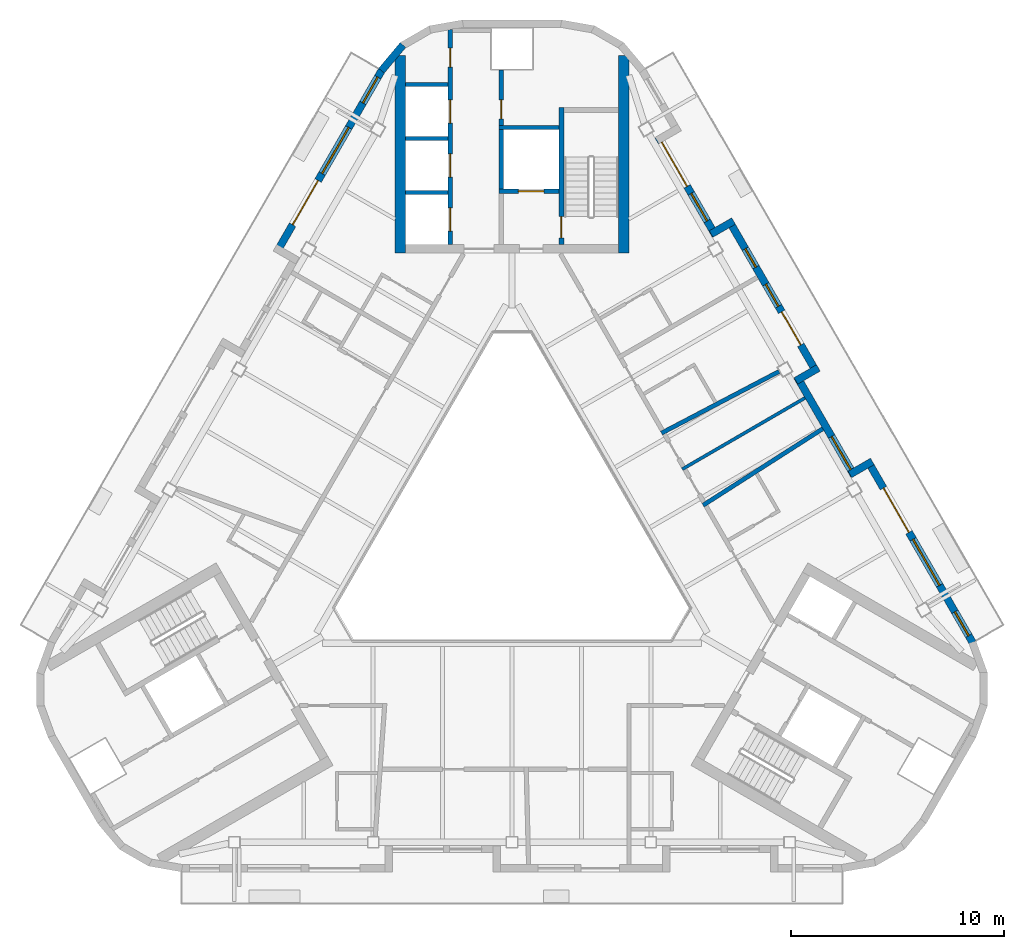
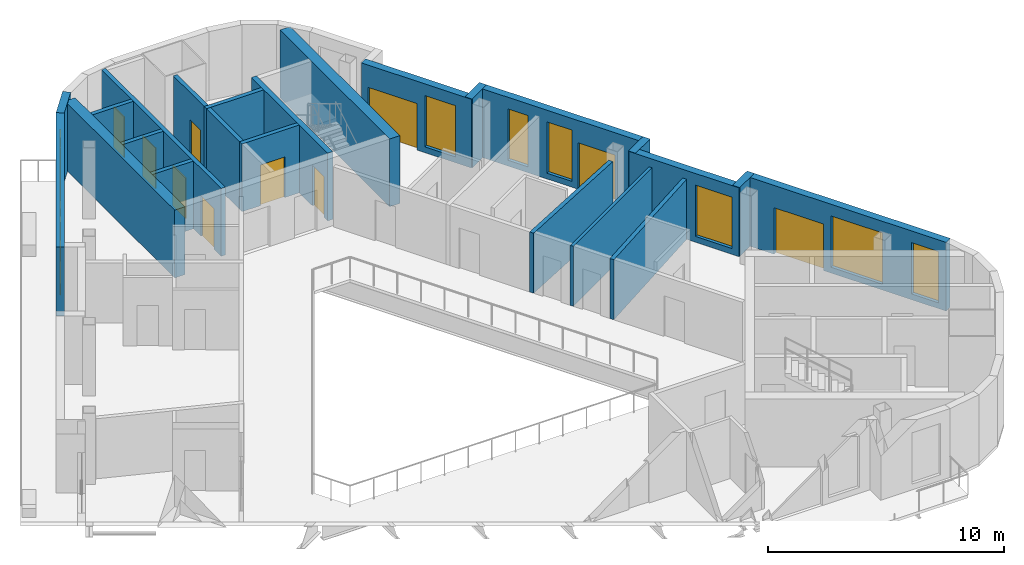
# One storey, part 6 of 11: 23 walls, 11 doors, 8 windows, 19 openings.
"""IFC4 building model written with IfcOpenShell, lengths in metres."""

from ifc_helpers import new_model, si_unit, direction, frame, frame_2d, origin, place, context, subcontext, project, spatial, rectangle, extrude, material, layer, layer_set, type_object, element, fill, save


model = new_model("IFC4")

# Units and contexts
model_context = context("Model", 3, precision=1e-05, world=origin(), true_north=direction((0.0, 1.0)))
body_context = subcontext(model_context, "Body", "Model", "MODEL_VIEW")
ifc_project = project(units=[si_unit("LENGTHUNIT", "METRE"), si_unit("AREAUNIT", "SQUARE_METRE"), si_unit("VOLUMEUNIT", "CUBIC_METRE"), si_unit("PLANEANGLEUNIT", "RADIAN"), si_unit("MASSUNIT", "GRAM", prefix="KILO")], contexts=[model_context])

# Site, building, storey
site_placement = place(None, origin())
site = spatial("IfcSite", under=ifc_project, at=site_placement, CompositionType="ELEMENT")
building_placement = place(site_placement, origin())
building = spatial("IfcBuilding", under=site, at=building_placement, Name="Apuvela Tower Hotel", CompositionType="ELEMENT")
storey_placement = place(building_placement, frame((0.0, 0.0, 317.0)))
storey = spatial("IfcBuildingStorey", under=building, at=storey_placement, Name="L79", CompositionType="ELEMENT", Elevation=317.0)

# Walls
ifc_material_1 = material(Name="Concrete C50/60", Category="concrete")
ifc_layer_1 = layer(ifc_material_1, 0.5)
ifc_layer_set_1 = layer_set([ifc_layer_1], Name="COR-WALL-CORE-500")
wall_type_1 = type_object("IfcWallType", Name="COR-WALL-CORE-500", PredefinedType="SHEAR", material=ifc_layer_set_1)
for number, where, z_axis, x_axis, name in (
    (1, (5.25, 12.89990234375, 0.0), (0.0, 0.0, 1.0), (0.0, 1.0, 0.0), "Core wall N"),
    (2, (-5.25, 12.89990234375, 0.0), (0.0, 0.0, 1.0), (0.0, 1.0, 0.0), "Core wall N"),
):
    element("IfcWall", number, at=place(storey_placement, frame(where, z_axis=z_axis, x_axis=x_axis)), inside=storey, type_object=wall_type_1, Name=name, PredefinedType="SHEAR", context=body_context, shape_type="SweptSolid", body=[
        extrude(rectangle(XDim=9.28271484375, YDim=0.5, at=frame_2d((4.641357421875, 0.0))), origin(), (0.0, 0.0, 1.0), 3.5),
    ])
ifc_layer_2 = layer(ifc_material_1, 0.199951171875)
ifc_layer_set_2 = layer_set([ifc_layer_2], Name="COR-WALL-SHAFT-200")
wall_type_2 = type_object("IfcWallType", Name="COR-WALL-SHAFT-200", PredefinedType="SHEAR", material=ifc_layer_set_2)
wall_1_placement = place(storey_placement, frame((2.199951171875, 18.800048828125, 0.0), z_axis=(0.0, 0.0, 1.0), x_axis=(-1.0, 0.0, 0.0)))
element("IfcWall", 3, at=wall_1_placement, inside=storey, type_object=wall_type_2, Name="Shaft wall N", PredefinedType="SHEAR", context=body_context, shape_type="SweptSolid", body=[
    extrude(rectangle(XDim=2.800048828125, YDim=0.199951171875, at=frame_2d((1.39990234375, 0.0))), origin(), (0.0, 0.0, 1.0), 3.5),
])

# Wall, opening, door
wall_2_placement = place(storey_placement, frame((2.199951171875, 15.800048828125, 0.0), z_axis=(0.0, 0.0, 1.0), x_axis=(-1.0, 0.0, 0.0)))
wall_2 = element("IfcWall", 4, at=wall_2_placement, inside=storey, type_object=wall_type_2, Name="Shaft wall N", PredefinedType="SHEAR", context=body_context, shape_type="SweptSolid", body=[
    extrude(rectangle(XDim=2.800048828125, YDim=0.199951171875, at=frame_2d((1.39990234375, 0.0))), origin(), (0.0, 0.0, 1.0), 3.5),
])
opening_1_placement = place(wall_2_placement, frame((0.699951171875, 0.0, 0.0)))
opening_1 = element("IfcOpeningElement", 5, at=opening_1_placement, cuts=wall_2, Name="Opening N-LD-FS1", PredefinedType="OPENING", context=body_context, shape_type="SweptSolid", body=[
    extrude(rectangle(XDim=1.199951171875, YDim=2.10009765625, at=frame_2d((0.60009765625, 1.050048828125))), frame((0.0, 0.10986328125, 0.0), z_axis=(0.0, -1.0, 0.0), x_axis=(1.0, 0.0, 0.0)), (0.0, 0.0, 1.0), 0.219970703125),
])
ifc_material_2 = material(Name="Stainless steel lift landing door", Category="steel")
door_type_1 = type_object("IfcDoorType", Name="COR-LD-1200", OperationType="DOUBLE_DOOR_SLIDING", PredefinedType="DOOR", material=ifc_material_2)
door_1_placement = place(opening_1_placement, origin())
door_1 = element("IfcDoor", 6, at=door_1_placement, inside=storey, type_object=door_type_1, Name="Lift landing door N-LD-FS1", OperationType="DOUBLE_DOOR_SLIDING", OverallHeight=2.10009765625, OverallWidth=1.199951171875, PredefinedType="DOOR", context=body_context, shape_type="SweptSolid", body=[
    extrude(rectangle(XDim=1.199951171875, YDim=2.10009765625, at=frame_2d((0.60009765625, 1.050048828125))), frame((0.0, 0.02490234375, 0.0), z_axis=(0.0, -1.0, 0.0), x_axis=(1.0, 0.0, 0.0)), (0.0, 0.0, 1.0), 0.050048828125),
])
fill(opening_1, door_1)

# Wall
wall_3_placement = place(storey_placement, frame((-0.5, 15.89990234375, 0.0), z_axis=(0.0, 0.0, 1.0), x_axis=(0.0, 1.0, 0.0)))
element("IfcWall", 7, at=wall_3_placement, inside=storey, type_object=wall_type_2, Name="Shaft wall N", PredefinedType="SHEAR", context=body_context, shape_type="SweptSolid", body=[
    extrude(rectangle(XDim=2.800048828125, YDim=0.199951171875, at=frame_2d((1.39990234375, 0.0))), origin(), (0.0, 0.0, 1.0), 3.5),
])

# Wall, openings, doors
wall_4_placement = place(storey_placement, frame((-2.89990234375, 13.300048828125, 0.0), z_axis=(0.0, 0.0, 1.0), x_axis=(0.0, 1.0, 0.0)))
wall_4 = element("IfcWall", 8, at=wall_4_placement, inside=storey, type_object=wall_type_2, Name="Shaft wall N", PredefinedType="SHEAR", context=body_context, shape_type="SweptSolid", body=[
    extrude(rectangle(XDim=10.120849609375, YDim=0.199951171875, at=frame_2d((5.060546875, 0.0))), origin(), (0.0, 0.0, 1.0), 3.5),
])
opening_2_placement = place(wall_4_placement, frame((0.6201171875, 0.0, 0.0)))
opening_2 = element("IfcOpeningElement", 9, at=opening_2_placement, cuts=wall_4, Name="Opening N-LD-HR1", PredefinedType="OPENING", context=body_context, shape_type="SweptSolid", body=[
    extrude(rectangle(XDim=1.10009765625, YDim=2.10009765625, at=frame_2d((0.550048828125, 1.050048828125))), frame((0.0, 0.10986328125, 0.0), z_axis=(0.0, -1.0, 0.0), x_axis=(1.0, 0.0, 0.0)), (0.0, 0.0, 1.0), 0.219970703125),
])
opening_3_placement = place(wall_4_placement, frame((3.159912109375, 0.0, 0.0)))
opening_3 = element("IfcOpeningElement", 10, at=opening_3_placement, cuts=wall_4, Name="Opening N-LD-HR2", PredefinedType="OPENING", context=body_context, shape_type="SweptSolid", body=[
    extrude(rectangle(XDim=1.10009765625, YDim=2.10009765625, at=frame_2d((0.550048828125, 1.050048828125))), frame((0.0, 0.10986328125, 0.0), z_axis=(0.0, -1.0, 0.0), x_axis=(1.0, 0.0, 0.0)), (0.0, 0.0, 1.0), 0.219970703125),
])
opening_4_placement = place(wall_4_placement, frame((5.699951171875, 0.0, 0.0)))
opening_4 = element("IfcOpeningElement", 11, at=opening_4_placement, cuts=wall_4, Name="Opening N-LD-HR4", PredefinedType="OPENING", context=body_context, shape_type="SweptSolid", body=[
    extrude(rectangle(XDim=1.10009765625, YDim=2.10009765625, at=frame_2d((0.550048828125, 1.050048828125))), frame((0.0, 0.10986328125, 0.0), z_axis=(0.0, -1.0, 0.0), x_axis=(1.0, 0.0, 0.0)), (0.0, 0.0, 1.0), 0.219970703125),
])
opening_5_placement = place(wall_4_placement, frame((8.340087890625, 0.0, 0.0)))
opening_5 = element("IfcOpeningElement", 12, at=opening_5_placement, cuts=wall_4, Name="Opening N-RE4", PredefinedType="OPENING", context=body_context, shape_type="SweptSolid", body=[
    extrude(rectangle(XDim=0.89990234375, YDim=2.10009765625, at=frame_2d((0.449951171875, 1.050048828125))), frame((0.0, 0.10986328125, 0.0), z_axis=(0.0, -1.0, 0.0), x_axis=(1.0, 0.0, 0.0)), (0.0, 0.0, 1.0), 0.219970703125),
])
ifc_material_3 = material(Name="Steel fire door, powder coated", Category="steel")
door_type_2 = type_object("IfcDoorType", Name="COR-DR-900", OperationType="NOTDEFINED", PredefinedType="DOOR", material=ifc_material_3)
door_2_placement = place(opening_5_placement, origin())
door_2 = element("IfcDoor", 13, at=door_2_placement, inside=storey, type_object=door_type_2, Name="Store door N-RE4", OperationType="SINGLE_SWING_LEFT", OverallHeight=2.10009765625, OverallWidth=0.89990234375, PredefinedType="DOOR", context=body_context, shape_type="SweptSolid", body=[
    extrude(rectangle(XDim=0.89990234375, YDim=2.10009765625, at=frame_2d((0.449951171875, 1.050048828125))), frame((0.0, 0.02490234375, 0.0), z_axis=(0.0, -1.0, 0.0), x_axis=(1.0, 0.0, 0.0)), (0.0, 0.0, 1.0), 0.050048828125),
])
fill(opening_5, door_2)
door_type_3 = type_object("IfcDoorType", Name="COR-LD-1100", OperationType="DOUBLE_DOOR_SLIDING", PredefinedType="DOOR", material=ifc_material_2)
door_3_placement = place(opening_2_placement, origin())
door_3 = element("IfcDoor", 14, at=door_3_placement, inside=storey, type_object=door_type_3, Name="Lift landing door N-LD-HR1", OperationType="DOUBLE_DOOR_SLIDING", OverallHeight=2.10009765625, OverallWidth=1.10009765625, PredefinedType="DOOR", context=body_context, shape_type="SweptSolid", body=[
    extrude(rectangle(XDim=1.10009765625, YDim=2.10009765625, at=frame_2d((0.550048828125, 1.050048828125))), frame((0.0, 0.02490234375, 0.0), z_axis=(0.0, -1.0, 0.0), x_axis=(1.0, 0.0, 0.0)), (0.0, 0.0, 1.0), 0.050048828125),
])
fill(opening_2, door_3)
door_4_placement = place(opening_3_placement, origin())
door_4 = element("IfcDoor", 15, at=door_4_placement, inside=storey, type_object=door_type_3, Name="Lift landing door N-LD-HR2", OperationType="DOUBLE_DOOR_SLIDING", OverallHeight=2.10009765625, OverallWidth=1.10009765625, PredefinedType="DOOR", context=body_context, shape_type="SweptSolid", body=[
    extrude(rectangle(XDim=1.10009765625, YDim=2.10009765625, at=frame_2d((0.550048828125, 1.050048828125))), frame((0.0, 0.02490234375, 0.0), z_axis=(0.0, -1.0, 0.0), x_axis=(1.0, 0.0, 0.0)), (0.0, 0.0, 1.0), 0.050048828125),
])
fill(opening_3, door_4)
door_5_placement = place(opening_4_placement, origin())
door_5 = element("IfcDoor", 16, at=door_5_placement, inside=storey, type_object=door_type_3, Name="Lift landing door N-LD-HR4", OperationType="DOUBLE_DOOR_SLIDING", OverallHeight=2.10009765625, OverallWidth=1.10009765625, PredefinedType="DOOR", context=body_context, shape_type="SweptSolid", body=[
    extrude(rectangle(XDim=1.10009765625, YDim=2.10009765625, at=frame_2d((0.550048828125, 1.050048828125))), frame((0.0, 0.02490234375, 0.0), z_axis=(0.0, -1.0, 0.0), x_axis=(1.0, 0.0, 0.0)), (0.0, 0.0, 1.0), 0.050048828125),
])
fill(opening_4, door_5)

# Wall, opening, door
wall_5_placement = place(storey_placement, frame((-0.5, 18.89990234375, 0.0), z_axis=(0.0, 0.0, 1.0), x_axis=(0.0, 1.0, 0.0)))
wall_5 = element("IfcWall", 17, at=wall_5_placement, inside=storey, type_object=wall_type_2, Name="Shaft wall N", PredefinedType="SHEAR", context=body_context, shape_type="SweptSolid", body=[
    extrude(rectangle(XDim=2.607666015625, YDim=0.199951171875, at=frame_2d((1.3037109375, 0.0))), origin(), (0.0, 0.0, 1.0), 3.5),
])
opening_6_placement = place(wall_5_placement, frame((0.300048828125, 0.0, 0.0)))
opening_6 = element("IfcOpeningElement", 18, at=opening_6_placement, cuts=wall_5, Name="Opening N-RDU", PredefinedType="OPENING", context=body_context, shape_type="SweptSolid", body=[
    extrude(rectangle(XDim=0.89990234375, YDim=2.10009765625, at=frame_2d((0.449951171875, 1.050048828125))), frame((0.0, 0.10986328125, 0.0), z_axis=(0.0, -1.0, 0.0), x_axis=(1.0, 0.0, 0.0)), (0.0, 0.0, 1.0), 0.219970703125),
])
door_6_placement = place(opening_6_placement, frame((0.89990234375, 0.0, 0.0), z_axis=(0.0, 0.0, 1.0), x_axis=(-1.0, 0.0, 0.0)))
door_6 = element("IfcDoor", 19, at=door_6_placement, inside=storey, type_object=door_type_2, Name="Store door N-RDU", OperationType="SINGLE_SWING_RIGHT", OverallHeight=2.10009765625, OverallWidth=0.89990234375, PredefinedType="DOOR", context=body_context, shape_type="SweptSolid", body=[
    extrude(rectangle(XDim=0.89990234375, YDim=2.10009765625, at=frame_2d((0.449951171875, 1.050048828125))), frame((0.0, 0.02490234375, 0.0), z_axis=(0.0, -1.0, 0.0), x_axis=(1.0, 0.0, 0.0)), (0.0, 0.0, 1.0), 0.050048828125),
])
fill(opening_6, door_6)

# Walls
for number, where, z_axis, x_axis, name in (
    (20, (-3.0, 15.739990234375, 0.0), (0.0, 0.0, 1.0), (-1.0, 0.0, 0.0), "Shaft wall N"),
    (21, (-3.0, 18.280029296875, 0.0), (0.0, 0.0, 1.0), (-1.0, 0.0, 0.0), "Shaft wall N"),
    (22, (-3.0, 20.820068359375, 0.0), (0.0, 0.0, 1.0), (-1.0, 0.0, 0.0), "Shaft wall N"),
):
    element("IfcWall", number, at=place(storey_placement, frame(where, z_axis=z_axis, x_axis=x_axis)), inside=storey, type_object=wall_type_2, Name=name, PredefinedType="SHEAR", context=body_context, shape_type="SweptSolid", body=[
        extrude(rectangle(XDim=2.0, YDim=0.199951171875, at=frame_2d((1.0, 0.0))), origin(), (0.0, 0.0, 1.0), 3.5),
    ])

# Wall, opening, door
ifc_layer_3 = layer(ifc_material_1, 0.25)
ifc_layer_set_3 = layer_set([ifc_layer_3], Name="COR-WALL-STAIR-250")
wall_type_3 = type_object("IfcWallType", Name="COR-WALL-STAIR-250", PredefinedType="SHEAR", material=ifc_layer_set_3)
wall_6_placement = place(storey_placement, frame((2.324951171875, 13.300048828125, 0.0), z_axis=(0.0, 0.0, 1.0), x_axis=(0.0, 1.0, 0.0)))
wall_6 = element("IfcWall", 23, at=wall_6_placement, inside=storey, type_object=wall_type_3, Name="Stair wall N", PredefinedType="SHEAR", context=body_context, shape_type="SweptSolid", body=[
    extrude(rectangle(XDim=6.449951171875, YDim=0.25, at=frame_2d((3.22509765625, 0.0))), origin(), (0.0, 0.0, 1.0), 3.5),
])
opening_7_placement = place(wall_6_placement, frame((0.300048828125, 0.0, 0.0)))
opening_7 = element("IfcOpeningElement", 24, at=opening_7_placement, cuts=wall_6, Name="Opening N-SD", PredefinedType="OPENING", context=body_context, shape_type="SweptSolid", body=[
    extrude(rectangle(XDim=1.0, YDim=2.10009765625, at=frame_2d((0.5, 1.050048828125))), frame((0.0, 0.135009765625, 0.0), z_axis=(0.0, -1.0, 0.0), x_axis=(1.0, 0.0, 0.0)), (0.0, 0.0, 1.0), 0.27001953125),
])
door_type_4 = type_object("IfcDoorType", Name="COR-SD-1000", OperationType="NOTDEFINED", PredefinedType="DOOR", material=ifc_material_3)
door_7_placement = place(opening_7_placement, frame((1.0, 0.0, 0.0), z_axis=(0.0, 0.0, 1.0), x_axis=(-1.0, 0.0, 0.0)))
door_7 = element("IfcDoor", 25, at=door_7_placement, inside=storey, type_object=door_type_4, Name="Stair door N-SD", OperationType="SINGLE_SWING_LEFT", OverallHeight=2.10009765625, OverallWidth=1.0, PredefinedType="DOOR", context=body_context, shape_type="SweptSolid", body=[
    extrude(rectangle(XDim=1.0, YDim=2.10009765625, at=frame_2d((0.5, 1.050048828125))), frame((0.0, 0.02490234375, 0.0), z_axis=(0.0, -1.0, 0.0), x_axis=(1.0, 0.0, 0.0)), (0.0, 0.0, 1.0), 0.050048828125),
])
fill(opening_7, door_7)

# Wall, openings, door, windows
ifc_material_4 = material(Name="Concrete C40/50, dark pigmented precast panel", Category="concrete")
ifc_layer_4 = layer(ifc_material_4, 0.35009765625)
ifc_layer_set_4 = layer_set([ifc_layer_4], Name="ENV-WALL-350")
wall_type_4 = type_object("IfcWallType", Name="ENV-WALL-350", PredefinedType="SOLIDWALL", material=ifc_layer_set_4)
wall_7_placement = place(storey_placement, frame((-6.12451171875, 21.496826171875, 0.0), z_axis=(0.0, 0.0, 1.0), x_axis=(-0.500002137087, -0.866024169933, 0.0)))
wall_7 = element("IfcWall", 26, at=wall_7_placement, inside=storey, type_object=wall_type_4, Name="External wall L79-01", PredefinedType="SOLIDWALL", context=body_context, shape_type="SweptSolid", body=[
    extrude(rectangle(XDim=9.923828125, YDim=0.35009765625, at=frame_2d((4.9619140625, 0.0))), origin(), (0.0, 0.0, 1.0), 3.550048828125),
])
opening_8_placement = place(wall_7_placement, frame((0.380615234375, 0.0, 0.300048828125)))
opening_8 = element("IfcOpeningElement", 27, at=opening_8_placement, cuts=wall_7, Name="Opening WN14", PredefinedType="OPENING", context=body_context, shape_type="SweptSolid", body=[
    extrude(rectangle(XDim=1.39990234375, YDim=2.64990234375, at=frame_2d((0.699951171875, 1.324951171875))), frame((0.0, 0.18505859375, 0.0), z_axis=(0.0, -1.0, 0.0), x_axis=(1.0, 0.0, 0.0)), (0.0, 0.0, 1.0), 0.3701171875),
])
opening_9_placement = place(wall_7_placement, frame((5.99853515625, 0.0, 0.0)))
opening_9 = element("IfcOpeningElement", 28, at=opening_9_placement, cuts=wall_7, Name="Opening BD24", PredefinedType="OPENING", context=body_context, shape_type="SweptSolid", body=[
    extrude(rectangle(XDim=2.39990234375, YDim=2.39990234375, at=frame_2d((1.199951171875, 1.199951171875))), frame((0.0, 0.18505859375, 0.0), z_axis=(0.0, -1.0, 0.0), x_axis=(1.0, 0.0, 0.0)), (0.0, 0.0, 1.0), 0.3701171875),
])
opening_10_placement = place(wall_7_placement, frame((3.118408203125, 0.0, 0.300048828125)))
opening_10 = element("IfcOpeningElement", 29, at=opening_10_placement, cuts=wall_7, Name="Opening WN25", PredefinedType="OPENING", context=body_context, shape_type="SweptSolid", body=[
    extrude(rectangle(XDim=2.5, YDim=2.64990234375, at=frame_2d((1.25, 1.324951171875))), frame((0.0, 0.18505859375, 0.0), z_axis=(0.0, -1.0, 0.0), x_axis=(1.0, 0.0, 0.0)), (0.0, 0.0, 1.0), 0.3701171875),
])
ifc_material_5 = material(Name="Aluminium 6063-T6, dark bronze anodised frame with dark tinted laminated glass", Category="aluminium")
door_type_5 = type_object("IfcDoorType", Name="ENV-DOOR-BALCONY-2400x2400", OperationType="SLIDING_TO_LEFT", PredefinedType="DOOR", material=ifc_material_5)
door_8_placement = place(opening_9_placement, frame((2.39990234375, 0.0, 0.0), z_axis=(0.0, 0.0, 1.0), x_axis=(-1.0, 0.0, 0.0)))
door_8 = element("IfcDoor", 30, at=door_8_placement, inside=storey, type_object=door_type_5, Name="Balcony door BD24", OperationType="SLIDING_TO_LEFT", OverallHeight=2.39990234375, OverallWidth=2.39990234375, PredefinedType="DOOR", context=body_context, shape_type="SweptSolid", body=[
    extrude(rectangle(XDim=2.39990234375, YDim=2.39990234375, at=frame_2d((1.199951171875, 1.199951171875))), frame((0.0, 0.02490234375, 0.0), z_axis=(0.0, -1.0, 0.0), x_axis=(1.0, 0.0, 0.0)), (0.0, 0.0, 1.0), 0.050048828125),
])
fill(opening_9, door_8)
ifc_material_6 = material(Name="Glass, dark tinted laminated insulated glazing unit", Category="glass")
window_type_1 = type_object("IfcWindowType", Name="ENV-WIN-1400x2650", PartitioningType="SINGLE_PANEL", PredefinedType="WINDOW", material=ifc_material_6)
window_1_placement = place(opening_8_placement, origin())
window_1 = element("IfcWindow", 31, at=window_1_placement, inside=storey, type_object=window_type_1, Name="Window WN14", OverallHeight=2.64990234375, OverallWidth=1.39990234375, PartitioningType="SINGLE_PANEL", PredefinedType="WINDOW", context=body_context, shape_type="SweptSolid", body=[
    extrude(rectangle(XDim=1.39990234375, YDim=2.64990234375, at=frame_2d((0.699951171875, 1.324951171875))), frame((0.0, 0.030029296875, 0.0), z_axis=(0.0, -1.0, 0.0), x_axis=(1.0, 0.0, 0.0)), (0.0, 0.0, 1.0), 0.06005859375),
])
fill(opening_8, window_1)
window_type_2 = type_object("IfcWindowType", Name="ENV-WIN-2500x2650", PartitioningType="SINGLE_PANEL", PredefinedType="WINDOW", material=ifc_material_6)
window_2_placement = place(opening_10_placement, origin())
window_2 = element("IfcWindow", 32, at=window_2_placement, inside=storey, type_object=window_type_2, Name="Window WN25", OverallHeight=2.64990234375, OverallWidth=2.5, PartitioningType="SINGLE_PANEL", PredefinedType="WINDOW", context=body_context, shape_type="SweptSolid", body=[
    extrude(rectangle(XDim=2.5, YDim=2.64990234375, at=frame_2d((1.25, 1.324951171875))), frame((0.0, 0.030029296875, 0.0), z_axis=(0.0, -1.0, 0.0), x_axis=(1.0, 0.0, 0.0)), (0.0, 0.0, 1.0), 0.06005859375),
])
fill(opening_10, window_2)

wall_8_placement = place(storey_placement, frame((21.67919921875, -5.4443359375, 0.0), z_axis=(0.0, 0.0, 1.0), x_axis=(-0.500020587865, 0.866013517049, 0.0)))
wall_8 = element("IfcWall", 33, at=wall_8_placement, inside=storey, type_object=wall_type_4, Name="External wall L79-33", PredefinedType="SOLIDWALL", context=body_context, shape_type="SweptSolid", body=[
    extrude(rectangle(XDim=9.923828125, YDim=0.35009765625, at=frame_2d((4.9619140625, 0.0))), origin(), (0.0, 0.0, 1.0), 3.550048828125),
])
opening_11_placement = place(wall_8_placement, frame((0.381103515625, 0.0, 0.300048828125)))
opening_11 = element("IfcOpeningElement", 34, at=opening_11_placement, cuts=wall_8, Name="Opening WN13", PredefinedType="OPENING", context=body_context, shape_type="SweptSolid", body=[
    extrude(rectangle(XDim=1.300048828125, YDim=2.64990234375, at=frame_2d((0.64990234375, 1.324951171875))), frame((0.0, 0.18505859375, 0.0), z_axis=(0.0, -1.0, 0.0), x_axis=(1.0, 0.0, 0.0)), (0.0, 0.0, 1.0), 0.3701171875),
])
opening_12_placement = place(wall_8_placement, frame((5.99853515625, 0.0, 0.0)))
opening_12 = element("IfcOpeningElement", 35, at=opening_12_placement, cuts=wall_8, Name="Opening BD24", PredefinedType="OPENING", context=body_context, shape_type="SweptSolid", body=[
    extrude(rectangle(XDim=2.39990234375, YDim=2.39990234375, at=frame_2d((1.199951171875, 1.199951171875))), frame((0.0, 0.18505859375, 0.0), z_axis=(0.0, -1.0, 0.0), x_axis=(1.0, 0.0, 0.0)), (0.0, 0.0, 1.0), 0.3701171875),
])
opening_13_placement = place(wall_8_placement, frame((3.117919921875, 0.0, 0.300048828125)))
opening_13 = element("IfcOpeningElement", 36, at=opening_13_placement, cuts=wall_8, Name="Opening WN25", PredefinedType="OPENING", context=body_context, shape_type="SweptSolid", body=[
    extrude(rectangle(XDim=2.5, YDim=2.64990234375, at=frame_2d((1.25, 1.324951171875))), frame((0.0, 0.18505859375, 0.0), z_axis=(0.0, -1.0, 0.0), x_axis=(1.0, 0.0, 0.0)), (0.0, 0.0, 1.0), 0.3701171875),
])
door_9_placement = place(opening_12_placement, frame((2.39990234375, 0.0, 0.0), z_axis=(0.0, 0.0, 1.0), x_axis=(-1.0, 0.0, 0.0)))
door_9 = element("IfcDoor", 37, at=door_9_placement, inside=storey, type_object=door_type_5, Name="Balcony door BD24", OperationType="SLIDING_TO_LEFT", OverallHeight=2.39990234375, OverallWidth=2.39990234375, PredefinedType="DOOR", context=body_context, shape_type="SweptSolid", body=[
    extrude(rectangle(XDim=2.39990234375, YDim=2.39990234375, at=frame_2d((1.199951171875, 1.199951171875))), frame((0.0, 0.02490234375, 0.0), z_axis=(0.0, -1.0, 0.0), x_axis=(1.0, 0.0, 0.0)), (0.0, 0.0, 1.0), 0.050048828125),
])
fill(opening_12, door_9)
window_type_3 = type_object("IfcWindowType", Name="ENV-WIN-1300x2650", PartitioningType="SINGLE_PANEL", PredefinedType="WINDOW", material=ifc_material_6)
window_3_placement = place(opening_11_placement, origin())
window_3 = element("IfcWindow", 38, at=window_3_placement, inside=storey, type_object=window_type_3, Name="Window WN13", OverallHeight=2.64990234375, OverallWidth=1.300048828125, PartitioningType="SINGLE_PANEL", PredefinedType="WINDOW", context=body_context, shape_type="SweptSolid", body=[
    extrude(rectangle(XDim=1.300048828125, YDim=2.64990234375, at=frame_2d((0.64990234375, 1.324951171875))), frame((0.0, 0.030029296875, 0.0), z_axis=(0.0, -1.0, 0.0), x_axis=(1.0, 0.0, 0.0)), (0.0, 0.0, 1.0), 0.06005859375),
])
fill(opening_11, window_3)
window_4_placement = place(opening_13_placement, origin())
window_4 = element("IfcWindow", 39, at=window_4_placement, inside=storey, type_object=window_type_2, Name="Window WN25", OverallHeight=2.64990234375, OverallWidth=2.5, PartitioningType="SINGLE_PANEL", PredefinedType="WINDOW", context=body_context, shape_type="SweptSolid", body=[
    extrude(rectangle(XDim=2.5, YDim=2.64990234375, at=frame_2d((1.25, 1.324951171875))), frame((0.0, 0.030029296875, 0.0), z_axis=(0.0, -1.0, 0.0), x_axis=(1.0, 0.0, 0.0)), (0.0, 0.0, 1.0), 0.06005859375),
])
fill(opening_13, window_4)

# Wall
wall_9_placement = place(storey_placement, frame((16.956298828125, 3.0859375, 0.0), z_axis=(0.0, 0.0, 1.0), x_axis=(-0.866005645448, -0.500034220881, 0.0)))
element("IfcWall", 40, at=wall_9_placement, inside=storey, type_object=wall_type_4, Name="External wall L79-34", PredefinedType="SOLIDWALL", context=body_context, shape_type="SweptSolid", body=[
    extrude(rectangle(XDim=1.22021484375, YDim=0.35009765625, at=frame_2d((0.610107421875, 0.0))), origin(), (0.0, 0.0, 1.0), 3.550048828125),
])

# Wall, opening, window
wall_10_placement = place(storey_placement, frame((16.09765625, 2.4228515625, 0.0), z_axis=(0.0, 0.0, 1.0), x_axis=(-0.499996591357, 0.866027371756, 0.0)))
wall_10 = element("IfcWall", 41, at=wall_10_placement, inside=storey, type_object=wall_type_4, Name="External wall L79-35", PredefinedType="SOLIDWALL", context=body_context, shape_type="SweptSolid", body=[
    extrude(rectangle(XDim=5.37060546875, YDim=0.35009765625, at=frame_2d((2.685302734375, 0.0))), origin(), (0.0, 0.0, 1.0), 3.550048828125),
])
opening_14_placement = place(wall_10_placement, frame((0.3203125, 0.0, 0.300048828125)))
opening_14 = element("IfcOpeningElement", 42, at=opening_14_placement, cuts=wall_10, Name="Opening WN18", PredefinedType="OPENING", context=body_context, shape_type="SweptSolid", body=[
    extrude(rectangle(XDim=1.800048828125, YDim=2.64990234375, at=frame_2d((0.89990234375, 1.324951171875))), frame((0.0, 0.18505859375, 0.0), z_axis=(0.0, -1.0, 0.0), x_axis=(1.0, 0.0, 0.0)), (0.0, 0.0, 1.0), 0.3701171875),
])
window_type_4 = type_object("IfcWindowType", Name="ENV-WIN-1800x2650", PartitioningType="SINGLE_PANEL", PredefinedType="WINDOW", material=ifc_material_6)
window_5_placement = place(opening_14_placement, origin())
window_5 = element("IfcWindow", 43, at=window_5_placement, inside=storey, type_object=window_type_4, Name="Window WN18", OverallHeight=2.64990234375, OverallWidth=1.800048828125, PartitioningType="SINGLE_PANEL", PredefinedType="WINDOW", context=body_context, shape_type="SweptSolid", body=[
    extrude(rectangle(XDim=1.800048828125, YDim=2.64990234375, at=frame_2d((0.89990234375, 1.324951171875))), frame((0.0, 0.030029296875, 0.0), z_axis=(0.0, -1.0, 0.0), x_axis=(1.0, 0.0, 0.0)), (0.0, 0.0, 1.0), 0.06005859375),
])
fill(opening_14, window_5)

# Wall
wall_11_placement = place(storey_placement, frame((13.359375, 6.8759765625, 0.0), z_axis=(0.0, 0.0, 1.0), x_axis=(0.866092288191, 0.499884134912, 0.0)))
element("IfcWall", 44, at=wall_11_placement, inside=storey, type_object=wall_type_4, Name="External wall L79-36", PredefinedType="SOLIDWALL", context=body_context, shape_type="SweptSolid", body=[
    extrude(rectangle(XDim=1.219970703125, YDim=0.35009765625, at=frame_2d((0.60986328125, 0.0))), origin(), (0.0, 0.0, 1.0), 3.550048828125),
])

# Wall, openings, door, windows
wall_12_placement = place(storey_placement, frame((14.351806640625, 7.246826171875, 0.0), z_axis=(0.0, 0.0, 1.0), x_axis=(-0.499993893925, 0.8660289291, 0.0)))
wall_12 = element("IfcWall", 45, at=wall_12_placement, inside=storey, type_object=wall_type_4, Name="External wall L79-37", PredefinedType="SOLIDWALL", context=body_context, shape_type="SweptSolid", body=[
    extrude(rectangle(XDim=8.33056640625, YDim=0.35009765625, at=frame_2d((4.165283203125, 0.0))), origin(), (0.0, 0.0, 1.0), 3.550048828125),
])
opening_15_placement = place(wall_12_placement, frame((1.524658203125, 0.0, 0.0)))
opening_15 = element("IfcOpeningElement", 46, at=opening_15_placement, cuts=wall_12, Name="Opening BD18", PredefinedType="OPENING", context=body_context, shape_type="SweptSolid", body=[
    extrude(rectangle(XDim=1.800048828125, YDim=2.39990234375, at=frame_2d((0.89990234375, 1.199951171875))), frame((0.0, 0.18505859375, 0.0), z_axis=(0.0, -1.0, 0.0), x_axis=(1.0, 0.0, 0.0)), (0.0, 0.0, 1.0), 0.3701171875),
])
opening_16_placement = place(wall_12_placement, frame((3.62451171875, 0.0, 0.300048828125)))
opening_16 = element("IfcOpeningElement", 47, at=opening_16_placement, cuts=wall_12, Name="Opening WN12", PredefinedType="OPENING", context=body_context, shape_type="SweptSolid", body=[
    extrude(rectangle(XDim=1.199951171875, YDim=2.64990234375, at=frame_2d((0.60009765625, 1.324951171875))), frame((0.0, 0.18505859375, 0.0), z_axis=(0.0, -1.0, 0.0), x_axis=(1.0, 0.0, 0.0)), (0.0, 0.0, 1.0), 0.3701171875),
])
opening_17_placement = place(wall_12_placement, frame((5.750244140625, 0.0, 0.300048828125)))
opening_17 = element("IfcOpeningElement", 48, at=opening_17_placement, cuts=wall_12, Name="Opening WN10", PredefinedType="OPENING", context=body_context, shape_type="SweptSolid", body=[
    extrude(rectangle(XDim=1.0, YDim=2.64990234375, at=frame_2d((0.5, 1.324951171875))), frame((0.0, 0.18505859375, 0.0), z_axis=(0.0, -1.0, 0.0), x_axis=(1.0, 0.0, 0.0)), (0.0, 0.0, 1.0), 0.3701171875),
])
door_type_6 = type_object("IfcDoorType", Name="ENV-DOOR-BALCONY-1800x2400", OperationType="SLIDING_TO_LEFT", PredefinedType="DOOR", material=ifc_material_5)
door_10_placement = place(opening_15_placement, frame((1.800048828125, 0.0, 0.0), z_axis=(0.0, 0.0, 1.0), x_axis=(-1.0, 0.0, 0.0)))
door_10 = element("IfcDoor", 49, at=door_10_placement, inside=storey, type_object=door_type_6, Name="Balcony door BD18", OperationType="SLIDING_TO_LEFT", OverallHeight=2.39990234375, OverallWidth=1.800048828125, PredefinedType="DOOR", context=body_context, shape_type="SweptSolid", body=[
    extrude(rectangle(XDim=1.800048828125, YDim=2.39990234375, at=frame_2d((0.89990234375, 1.199951171875))), frame((0.0, 0.02490234375, 0.0), z_axis=(0.0, -1.0, 0.0), x_axis=(1.0, 0.0, 0.0)), (0.0, 0.0, 1.0), 0.050048828125),
])
fill(opening_15, door_10)
window_type_5 = type_object("IfcWindowType", Name="ENV-WIN-1000x2650", PartitioningType="SINGLE_PANEL", PredefinedType="WINDOW", material=ifc_material_6)
window_6_placement = place(opening_17_placement, origin())
window_6 = element("IfcWindow", 50, at=window_6_placement, inside=storey, type_object=window_type_5, Name="Window WN10", OverallHeight=2.64990234375, OverallWidth=1.0, PartitioningType="SINGLE_PANEL", PredefinedType="WINDOW", context=body_context, shape_type="SweptSolid", body=[
    extrude(rectangle(XDim=1.0, YDim=2.64990234375, at=frame_2d((0.5, 1.324951171875))), frame((0.0, 0.030029296875, 0.0), z_axis=(0.0, -1.0, 0.0), x_axis=(1.0, 0.0, 0.0)), (0.0, 0.0, 1.0), 0.06005859375),
])
fill(opening_17, window_6)
window_type_6 = type_object("IfcWindowType", Name="ENV-WIN-1200x2650", PartitioningType="SINGLE_PANEL", PredefinedType="WINDOW", material=ifc_material_6)
window_7_placement = place(opening_16_placement, origin())
window_7 = element("IfcWindow", 51, at=window_7_placement, inside=storey, type_object=window_type_6, Name="Window WN12", OverallHeight=2.64990234375, OverallWidth=1.199951171875, PartitioningType="SINGLE_PANEL", PredefinedType="WINDOW", context=body_context, shape_type="SweptSolid", body=[
    extrude(rectangle(XDim=1.199951171875, YDim=2.64990234375, at=frame_2d((0.60009765625, 1.324951171875))), frame((0.0, 0.030029296875, 0.0), z_axis=(0.0, -1.0, 0.0), x_axis=(1.0, 0.0, 0.0)), (0.0, 0.0, 1.0), 0.06005859375),
])
fill(opening_16, window_7)

# Wall
wall_13_placement = place(storey_placement, frame((10.425537109375, 14.3974609375, 0.0), z_axis=(0.0, 0.0, 1.0), x_axis=(-0.866005645448, -0.500034220881, 0.0)))
element("IfcWall", 52, at=wall_13_placement, inside=storey, type_object=wall_type_4, Name="External wall L79-38", PredefinedType="SOLIDWALL", context=body_context, shape_type="SweptSolid", body=[
    extrude(rectangle(XDim=1.22021484375, YDim=0.35009765625, at=frame_2d((0.610107421875, 0.0))), origin(), (0.0, 0.0, 1.0), 3.550048828125),
])

# Wall, openings, door, window
wall_14_placement = place(storey_placement, frame((9.56689453125, 13.734375, 0.0), z_axis=(0.0, 0.0, 1.0), x_axis=(-0.499996591357, 0.866027371756, 0.0)))
wall_14 = element("IfcWall", 53, at=wall_14_placement, inside=storey, type_object=wall_type_4, Name="External wall L79-39", PredefinedType="SOLIDWALL", context=body_context, shape_type="SweptSolid", body=[
    extrude(rectangle(XDim=5.37060546875, YDim=0.35009765625, at=frame_2d((2.685302734375, 0.0))), origin(), (0.0, 0.0, 1.0), 3.550048828125),
])
opening_18_placement = place(wall_14_placement, frame((2.650390625, 0.0, 0.0)))
opening_18 = element("IfcOpeningElement", 54, at=opening_18_placement, cuts=wall_14, Name="Opening BD24", PredefinedType="OPENING", context=body_context, shape_type="SweptSolid", body=[
    extrude(rectangle(XDim=2.39990234375, YDim=2.39990234375, at=frame_2d((1.199951171875, 1.199951171875))), frame((0.0, 0.18505859375, 0.0), z_axis=(0.0, -1.0, 0.0), x_axis=(1.0, 0.0, 0.0)), (0.0, 0.0, 1.0), 0.3701171875),
])
opening_19_placement = place(wall_14_placement, frame((0.77001953125, 0.0, 0.300048828125)))
opening_19 = element("IfcOpeningElement", 55, at=opening_19_placement, cuts=wall_14, Name="Opening WN15", PredefinedType="OPENING", context=body_context, shape_type="SweptSolid", body=[
    extrude(rectangle(XDim=1.5, YDim=2.64990234375, at=frame_2d((0.75, 1.324951171875))), frame((0.0, 0.18505859375, 0.0), z_axis=(0.0, -1.0, 0.0), x_axis=(1.0, 0.0, 0.0)), (0.0, 0.0, 1.0), 0.3701171875),
])
door_11_placement = place(opening_18_placement, frame((2.39990234375, 0.0, 0.0), z_axis=(0.0, 0.0, 1.0), x_axis=(-1.0, 0.0, 0.0)))
door_11 = element("IfcDoor", 56, at=door_11_placement, inside=storey, type_object=door_type_5, Name="Balcony door BD24", OperationType="SLIDING_TO_LEFT", OverallHeight=2.39990234375, OverallWidth=2.39990234375, PredefinedType="DOOR", context=body_context, shape_type="SweptSolid", body=[
    extrude(rectangle(XDim=2.39990234375, YDim=2.39990234375, at=frame_2d((1.199951171875, 1.199951171875))), frame((0.0, 0.02490234375, 0.0), z_axis=(0.0, -1.0, 0.0), x_axis=(1.0, 0.0, 0.0)), (0.0, 0.0, 1.0), 0.050048828125),
])
fill(opening_18, door_11)
window_type_7 = type_object("IfcWindowType", Name="ENV-WIN-1500x2650", PartitioningType="SINGLE_PANEL", PredefinedType="WINDOW", material=ifc_material_6)
window_8_placement = place(opening_19_placement, origin())
window_8 = element("IfcWindow", 57, at=window_8_placement, inside=storey, type_object=window_type_7, Name="Window WN15", OverallHeight=2.64990234375, OverallWidth=1.5, PartitioningType="SINGLE_PANEL", PredefinedType="WINDOW", context=body_context, shape_type="SweptSolid", body=[
    extrude(rectangle(XDim=1.5, YDim=2.64990234375, at=frame_2d((0.75, 1.324951171875))), frame((0.0, 0.030029296875, 0.0), z_axis=(0.0, -1.0, 0.0), x_axis=(1.0, 0.0, 0.0)), (0.0, 0.0, 1.0), 0.06005859375),
])
fill(opening_19, window_8)

# Walls
wall_15_placement = place(storey_placement, frame((-5.127197265625, 22.681396484375, 0.0), z_axis=(0.0, 0.0, 1.0), x_axis=(-0.642720587594, -0.766100676336, 0.0)))
element("IfcWall", 58, at=wall_15_placement, inside=storey, type_object=wall_type_4, Name="External wall L79-48", PredefinedType="SOLIDWALL", context=body_context, shape_type="SweptSolid", body=[
    extrude(rectangle(XDim=1.5791015625, YDim=0.35009765625, at=frame_2d((0.78955078125, 0.0))), origin(), (0.0, 0.0, 1.0), 3.550048828125),
])
ifc_material_7 = material(Name="Gypsum board partition on twin steel stud", Category="steel")
ifc_layer_5 = layer(ifc_material_7, 0.199951171875)
ifc_layer_set_5 = layer_set([ifc_layer_5], Name="GST-PW1")
wall_type_5 = type_object("IfcWallType", Name="GST-PW1", PredefinedType="PARTITIONING", material=ifc_layer_set_5)
wall_16_placement = place(storey_placement, frame((14.6240234375, 4.62548828125, 0.0), z_axis=(0.0, 0.0, 1.0), x_axis=(-0.842484919653, -0.53871992738, 0.0)))
element("IfcWall", 59, at=wall_16_placement, inside=storey, type_object=wall_type_5, Name="L79 partition 04", PredefinedType="PARTITIONING", context=body_context, shape_type="SweptSolid", body=[
    extrude(rectangle(XDim=6.6845703125, YDim=0.199951171875, at=frame_2d((3.34228515625, 0.0))), origin(), (0.0, 0.0, 1.0), 3.10009765625),
])
wall_17_placement = place(storey_placement, frame((12.575927734375, 7.322998046875, 0.0), z_axis=(0.0, 0.0, 1.0), x_axis=(-0.885630617544, -0.464390363023, 0.0)))
element("IfcWall", 60, at=wall_17_placement, inside=storey, type_object=wall_type_5, Name="L79 partition 05", PredefinedType="PARTITIONING", context=body_context, shape_type="SweptSolid", body=[
    extrude(rectangle(XDim=6.257568359375, YDim=0.199951171875, at=frame_2d((3.12890625, 0.0))), origin(), (0.0, 0.0, 1.0), 3.10009765625),
])
ifc_material_8 = material(Name="Moisture-resistant gypsum board wet wall on steel stud", Category="steel")
ifc_layer_6 = layer(ifc_material_8, 0.14990234375)
ifc_layer_set_6 = layer_set([ifc_layer_6], Name="GST-PW3")
wall_type_6 = type_object("IfcWallType", Name="GST-PW3", PredefinedType="PARTITIONING", material=ifc_layer_set_6)
wall_18_placement = place(storey_placement, frame((13.788330078125, 6.072998046875, 0.0), z_axis=(0.0, 0.0, 1.0), x_axis=(-0.864855005342, -0.502021732334, 0.0)))
element("IfcWall", 61, at=wall_18_placement, inside=storey, type_object=wall_type_6, Name="L79 partition 22", PredefinedType="PARTITIONING", context=body_context, shape_type="SweptSolid", body=[
    extrude(rectangle(XDim=6.677490234375, YDim=0.14990234375, at=frame_2d((3.3388671875, 0.0))), origin(), (0.0, 0.0, 1.0), 3.10009765625),
])

save(model, "model.ifc")
